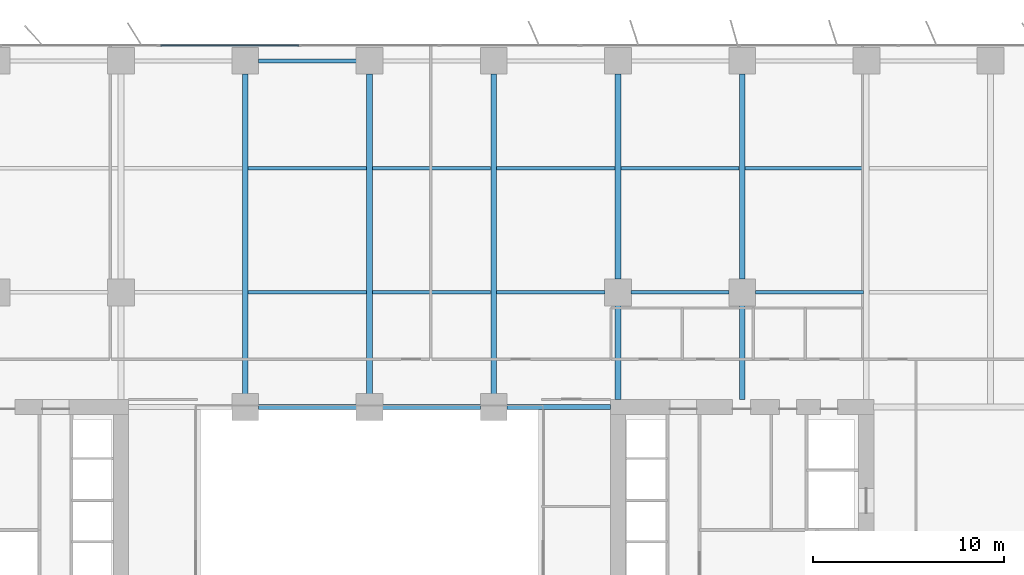
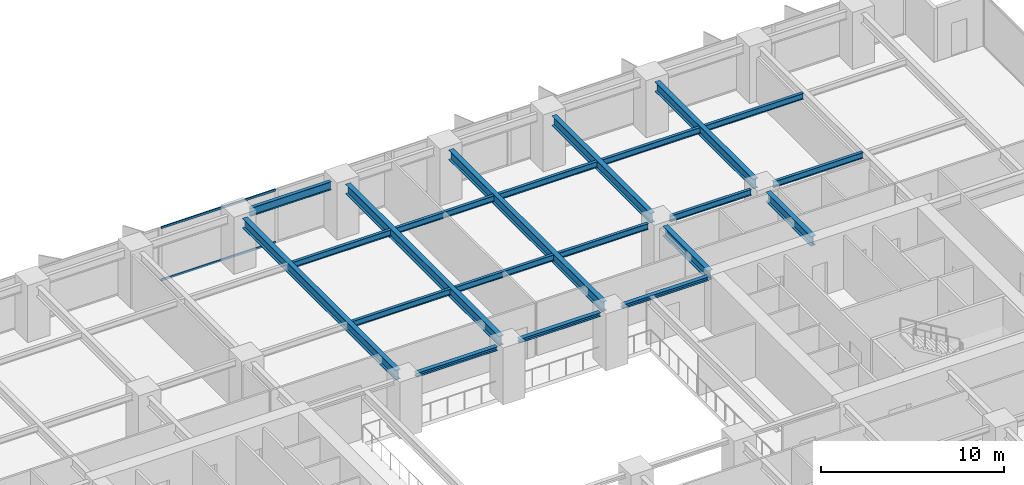
# One storey, part 8 of 20: 21 beams, 2 members, 1 element without a shape of its own.
"""IFC4 building model written with IfcOpenShell, lengths in metres."""

import ifcopenshell
import ifcopenshell.guid

model = None  # the IFC model being written
_history = None  # IfcOwnerHistory: only IFC2X3 demands one
_inside = {}  # id of a spatial element -> (the spatial element, [elements in it])
_under = {}  # id of a project, library or spatial element -> (it, [spatial elements below it])
_declared = {}  # id of a project -> (the project, [libraries it declares])
_typed = {}  # id of a type object -> (the type object, [elements of that type])
_made_of = {}  # id of a material, layer set ... -> (it, [elements and type objects made of it])


def new_model(schema):
    """Start an empty IFC model of exactly this schema.

    Asked for "IFC4X3", IfcOpenShell would pick the latest addendum, in which some entities
    have other attributes; the version numbers below select the first issue.
    IFC2X3 requires an IfcOwnerHistory on every rooted entity: one is made here for all.
    """
    global model, _history
    if schema == "IFC4X3":
        model = ifcopenshell.file(schema_version=(4, 3, 0, 0))
    else:
        model = ifcopenshell.file(schema=schema)
    _inside.clear()
    _under.clear()
    _declared.clear()
    _typed.clear()
    _made_of.clear()
    _history = None
    if model.schema == "IFC2X3":
        org = make("IfcOrganization", Name="unknown")
        user = make(
            "IfcPersonAndOrganization",
            ThePerson=make("IfcPerson", FamilyName="unknown"),
            TheOrganization=org,
        )
        app = make(
            "IfcApplication",
            ApplicationDeveloper=org,
            Version="unknown",
            ApplicationFullName="unknown",
            ApplicationIdentifier="unknown",
        )
        _history = make(
            "IfcOwnerHistory",
            OwningUser=user,
            OwningApplication=app,
            ChangeAction="ADDED",
            CreationDate=0,
        )
    return model


def make(cls, **values):
    """One entity of the class cls with the attributes given. An attribute that is None is left unset."""
    return model.create_entity(
        cls, **{name: value for name, value in values.items() if value is not None}
    )


def rooted(cls, **values):
    """An entity with a GlobalId (a new one), such as an element, a storey or a relation."""
    return make(cls, GlobalId=ifcopenshell.guid.new(), OwnerHistory=_history, **values)


def si_unit(unit_type, name, prefix=None):
    """IfcSIUnit, for example si_unit("LENGTHUNIT", "METRE", prefix="MILLI")."""
    return make("IfcSIUnit", UnitType=unit_type, Prefix=prefix, Name=name)


def assignment(units):
    """IfcUnitAssignment: the units of a project."""
    return None if units is None else make("IfcUnitAssignment", Units=units)


def point(xyz):
    """IfcCartesianPoint."""
    return None if xyz is None else make("IfcCartesianPoint", Coordinates=xyz)


def direction(xyz):
    """IfcDirection."""
    return None if xyz is None else make("IfcDirection", DirectionRatios=xyz)


def frame(location, z_axis=None, x_axis=None):
    """IfcAxis2Placement3D, a coordinate frame: its origin and axes. An axis left out is left unset."""
    return make(
        "IfcAxis2Placement3D",
        Location=point(location),
        Axis=direction(z_axis),
        RefDirection=direction(x_axis),
    )


def frame_2d(location, x_axis=None):
    """IfcAxis2Placement2D, a coordinate frame in the plane: its origin and x axis."""
    return make(
        "IfcAxis2Placement2D", Location=point(location), RefDirection=direction(x_axis)
    )


def origin():
    """The frame at (0, 0, 0) with its axes left unset."""
    return frame((0.0, 0.0, 0.0))


def origin_2d():
    """The frame at (0, 0) in the plane with its x axis left unset."""
    return frame_2d((0.0, 0.0))


def place(relative_to, where):
    """IfcLocalPlacement: puts the frame where relative to a parent placement (None: the world)."""
    return make(
        "IfcLocalPlacement", PlacementRelTo=relative_to, RelativePlacement=where
    )


def context(
    kind, dimensions, precision=None, world=None, true_north=None, identifier=None
):
    """IfcGeometricRepresentationContext, for example the 3D "Model" context."""
    return make(
        "IfcGeometricRepresentationContext",
        ContextIdentifier=identifier,
        ContextType=kind,
        CoordinateSpaceDimension=dimensions,
        Precision=precision,
        WorldCoordinateSystem=world,
        TrueNorth=true_north,
    )


def subcontext(parent, identifier, kind, view, scale=None):
    """IfcGeometricRepresentationSubContext, for example "Body" below "Model"."""
    return make(
        "IfcGeometricRepresentationSubContext",
        ContextIdentifier=identifier,
        ContextType=kind,
        ParentContext=parent,
        TargetScale=scale,
        TargetView=view,
    )


def project(units=None, contexts=None):
    """IfcProject with its units and contexts."""
    return rooted(
        "IfcProject",
        Name="project",
        RepresentationContexts=contexts,
        UnitsInContext=assignment(units),
    )


def spatial(cls, under=None, at=None, **own):
    """A site, building, storey or space (cls), placed at a placement, below another one or the project."""
    s = rooted(cls, ObjectPlacement=at, **own)
    if under is not None:
        _under.setdefault(under.id(), (under, []))[1].append(s)
    return s


def profile(cls, at=None, kind="AREA", **sizes):
    """A parametric profile (cls). Its sizes go by their IFC names, for example OverallWidth=200.0."""
    return make(cls, ProfileType=kind, Position=at, **sizes)


def rectangle(**sizes):
    """IfcRectangleProfileDef."""
    return profile("IfcRectangleProfileDef", **sizes)


def i_section(**sizes):
    """IfcIShapeProfileDef."""
    return profile("IfcIShapeProfileDef", **sizes)


def extrude(swept, where, along, depth):
    """IfcExtrudedAreaSolid: the profile swept, set in the frame where, extruded along a direction by depth."""
    return make(
        "IfcExtrudedAreaSolid",
        SweptArea=swept,
        Position=where,
        ExtrudedDirection=direction(along),
        Depth=depth,
    )


def shape(context_of_items, identifier, shape_type, items):
    """IfcShapeRepresentation: the items that make up one representation, for example the "Body"."""
    return make(
        "IfcShapeRepresentation",
        ContextOfItems=context_of_items,
        RepresentationIdentifier=identifier,
        RepresentationType=shape_type,
        Items=items,
    )


def material(Name=None, Category=None):
    """IfcMaterial."""
    return make("IfcMaterial", Name=Name, Category=Category)


def layer(
    of_material, thickness, ventilated=None, Name=None, Category=None, Priority=None
):
    """IfcMaterialLayer: one layer of a wall or slab, of a material (None: an air gap)."""
    return make(
        "IfcMaterialLayer",
        Material=of_material,
        LayerThickness=thickness,
        IsVentilated=ventilated,
        Name=Name,
        Category=Category,
        Priority=Priority,
    )


def layer_set(layers, Name=None):
    """IfcMaterialLayerSet."""
    return make("IfcMaterialLayerSet", MaterialLayers=layers, LayerSetName=Name)


def material_profile(
    of_material, cross_section, Name=None, Category=None, Priority=None
):
    """IfcMaterialProfile: a cross section and its material."""
    return make(
        "IfcMaterialProfile",
        Name=Name,
        Material=of_material,
        Profile=cross_section,
        Priority=Priority,
        Category=Category,
    )


def profile_set(profiles, Name=None, composite=None):
    """IfcMaterialProfileSet."""
    return make(
        "IfcMaterialProfileSet",
        Name=Name,
        MaterialProfiles=profiles,
        CompositeProfile=composite,
    )


def made_of(thing, what):
    """Note that an element or type object is made of a material, layer set ...; save() writes the relation."""
    if what is not None:
        _made_of.setdefault(what.id(), (what, []))[1].append(thing)
    return thing


def type_object(cls, material=None, **own):
    """A type object (cls), such as IfcWallType, which elements share."""
    return made_of(rooted(cls, **own), material)


def element(
    cls,
    number,
    at=None,
    inside=None,
    cuts=None,
    type_object=None,
    material=None,
    context=None,
    identifier="Body",
    shape_type=None,
    held_by="IfcProductDefinitionShape",
    body=None,
    shapes=None,
    **own,
):
    """One element of the class cls, such as IfcWall. Its Tag is "e" and its number.

    at: its placement. inside: the storey or other place that contains it. cuts: it is an
    opening in that element (IfcRelVoidsElement). A single representation is given by context,
    identifier, shape_type and body (its items); several are given by shapes. held_by: the class
    of the entity that holds the representations. save() writes the other relations.
    """
    e = rooted(cls, Tag="e%d" % number, ObjectPlacement=at, **own)
    if body is not None:
        shapes = [shape(context, identifier, shape_type, body)]
    if shapes is not None:
        e.Representation = make(held_by, Representations=shapes)
    if inside is not None:
        _inside.setdefault(inside.id(), (inside, []))[1].append(e)
    if cuts is not None:
        rooted(
            "IfcRelVoidsElement", RelatingBuildingElement=cuts, RelatedOpeningElement=e
        )
    if type_object is not None:
        _typed.setdefault(type_object.id(), (type_object, []))[1].append(e)
    return made_of(e, material)


def aggregate(whole, parts):
    """IfcRelAggregates: a whole, such as a stair, and the parts it consists of."""
    return rooted("IfcRelAggregates", RelatingObject=whole, RelatedObjects=parts)


def save(model, path):
    """Write the relations noted so far, then the file.

    IfcRelAggregates (storeys below a building ...), IfcRelContainedInSpatialStructure (elements
    in a storey), IfcRelDefinesByType, IfcRelAssociatesMaterial and IfcRelDeclares: one each for
    every whole, place, type object, material and project.
    """
    for whole, parts in _under.values():
        aggregate(whole, parts)
    for where, things in _inside.values():
        rooted(
            "IfcRelContainedInSpatialStructure",
            RelatedElements=things,
            RelatingStructure=where,
        )
    for kind, things in _typed.values():
        rooted("IfcRelDefinesByType", RelatedObjects=things, RelatingType=kind)
    for what, things in _made_of.values():
        rooted("IfcRelAssociatesMaterial", RelatedObjects=things, RelatingMaterial=what)
    for by, libraries in _declared.values():
        rooted("IfcRelDeclares", RelatingContext=by, RelatedDefinitions=libraries)
    model.write(path)


model = new_model("IFC4")

# Units and contexts
model_context = context("Model", 3, precision=1e-05, world=origin(), true_north=direction((0.0, 1.0)))
body_context = subcontext(model_context, "Body", "Model", "MODEL_VIEW")
ifc_project = project(units=[si_unit("LENGTHUNIT", "METRE"), si_unit("AREAUNIT", "SQUARE_METRE"), si_unit("VOLUMEUNIT", "CUBIC_METRE"), si_unit("PLANEANGLEUNIT", "RADIAN"), si_unit("MASSUNIT", "GRAM", prefix="KILO")], contexts=[model_context])

# Site, building, storey
site_placement = place(None, origin())
site = spatial("IfcSite", under=ifc_project, at=site_placement, CompositionType="ELEMENT")
building_placement = place(site_placement, origin())
building = spatial("IfcBuilding", under=site, at=building_placement, Name="Putna Gate Headquarters", CompositionType="ELEMENT")
storey_placement = place(building_placement, frame((0.0, 0.0, 58.199951171875)))
storey = spatial("IfcBuildingStorey", under=building, at=storey_placement, Name="L13", CompositionType="ELEMENT", Elevation=58.199951171875)

# Beams
ifc_material_1 = material(Name="Steel S355J2", Category="steel")
ifc_material_profile_1 = material_profile(ifc_material_1, i_section(OverallWidth=0.260009765625, OverallDepth=0.260009765625, WebThickness=0.010009765625, FlangeThickness=0.017578125, at=origin_2d()), Name="Steel S355J2")
ifc_profile_set_1 = profile_set([ifc_material_profile_1], Name="Steel S355J2")
beam_type_1 = type_object("IfcBeamType", Name="BM-ATRIUM-HEB260", PredefinedType="BEAM", material=ifc_profile_set_1)
for number, where, z_axis, x_axis, name in (
    (1, (33.18798828125, 33.0, 3.420166015625), (1.0, 0.0, 0.0), (0.0, 1.0, 0.0), "L13 Atrium Edge Beam AN2"),
    (2, (39.68798828125, 33.0, 3.420166015625), (1.0, 0.0, 0.0), (0.0, 1.0, 0.0), "L13 Atrium Edge Beam AN3"),
):
    element("IfcBeam", number, at=place(storey_placement, frame(where, z_axis=z_axis, x_axis=x_axis)), inside=storey, type_object=beam_type_1, Name=name, PredefinedType="BEAM", context=body_context, shape_type="SweptSolid", body=[
        extrude(i_section(OverallWidth=0.260009765625, OverallDepth=0.260009765625, WebThickness=0.010009765625, FlangeThickness=0.017578125, at=origin_2d()), origin(), (0.0, 0.0, 1.0), 5.1240234375),
    ])
beam_1_placement = place(storey_placement, frame((46.18798828125, 33.0, 3.420166015625), z_axis=(1.0, 0.0, 0.0), x_axis=(0.0, 1.0, 0.0)))
element("IfcBeam", 3, at=beam_1_placement, inside=storey, type_object=beam_type_1, Name="L13 Atrium Edge Beam AN4", PredefinedType="BEAM", context=body_context, shape_type="SweptSolid", body=[
    extrude(i_section(OverallWidth=0.260009765625, OverallDepth=0.260009765625, WebThickness=0.010009765625, FlangeThickness=0.017578125, at=origin_2d()), origin(), (0.0, 0.0, 1.0), 5.427001953125),
])
ifc_material_profile_2 = material_profile(ifc_material_1, i_section(OverallWidth=0.300048828125, OverallDepth=0.64990234375, WebThickness=0.01611328125, FlangeThickness=0.031005859375, at=origin_2d()), Name="Steel S355J2")
ifc_profile_set_2 = profile_set([ifc_material_profile_2], Name="Steel S355J2")
beam_type_2 = type_object("IfcBeamType", Name="BM-GIRD-Z1-HEB650", PredefinedType="USERDEFINED", material=ifc_profile_set_2)
for number, where, z_axis, x_axis, name in (
    (4, (32.5, 33.68798828125, 3.22509765625), (0.0, 1.0, 0.0), (-1.0, 0.0, 0.0), "L13 North Primary Girder X32"),
    (5, (39.0, 33.68798828125, 3.22509765625), (0.0, 1.0, 0.0), (-1.0, 0.0, 0.0), "L13 North Primary Girder X39"),
    (6, (45.5, 33.68798828125, 3.22509765625), (0.0, 1.0, 0.0), (-1.0, 0.0, 0.0), "L13 North Primary Girder X45"),
):
    element("IfcBeam", number, at=place(storey_placement, frame(where, z_axis=z_axis, x_axis=x_axis)), inside=storey, type_object=beam_type_2, Name=name, ObjectType="GIRDER", PredefinedType="USERDEFINED", context=body_context, shape_type="SweptSolid", body=[
        extrude(i_section(OverallWidth=0.300048828125, OverallDepth=0.64990234375, WebThickness=0.01611328125, FlangeThickness=0.031005859375, at=origin_2d()), origin(), (0.0, 0.0, 1.0), 16.743896484375),
    ])
beam_2_placement = place(storey_placement, frame((52.0, 33.385009765625, 3.22509765625), z_axis=(0.0, 1.0, 0.0), x_axis=(-1.0, 0.0, 0.0)))
element("IfcBeam", 7, at=beam_2_placement, inside=storey, type_object=beam_type_2, Name="L13 North Primary Girder X52-1", ObjectType="GIRDER", PredefinedType="USERDEFINED", context=body_context, shape_type="SweptSolid", body=[
    extrude(i_section(OverallWidth=0.300048828125, OverallDepth=0.64990234375, WebThickness=0.01611328125, FlangeThickness=0.031005859375, at=origin_2d()), origin(), (0.0, 0.0, 1.0), 4.927001953125),
])
beam_3_placement = place(storey_placement, frame((52.0, 39.68798828125, 3.22509765625), z_axis=(0.0, 1.0, 0.0), x_axis=(-1.0, 0.0, 0.0)))
element("IfcBeam", 8, at=beam_3_placement, inside=storey, type_object=beam_type_2, Name="L13 North Primary Girder X52-2", ObjectType="GIRDER", PredefinedType="USERDEFINED", context=body_context, shape_type="SweptSolid", body=[
    extrude(i_section(OverallWidth=0.300048828125, OverallDepth=0.64990234375, WebThickness=0.01611328125, FlangeThickness=0.031005859375, at=origin_2d()), origin(), (0.0, 0.0, 1.0), 10.743896484375),
])
beam_4_placement = place(storey_placement, frame((58.5, 33.385009765625, 3.22509765625), z_axis=(0.0, 1.0, 0.0), x_axis=(-1.0, 0.0, 0.0)))
element("IfcBeam", 9, at=beam_4_placement, inside=storey, type_object=beam_type_2, Name="L13 North Primary Girder X58-1", ObjectType="GIRDER", PredefinedType="USERDEFINED", context=body_context, shape_type="SweptSolid", body=[
    extrude(i_section(OverallWidth=0.300048828125, OverallDepth=0.64990234375, WebThickness=0.01611328125, FlangeThickness=0.031005859375, at=origin_2d()), origin(), (0.0, 0.0, 1.0), 4.927001953125),
])
beam_5_placement = place(storey_placement, frame((58.5, 39.68798828125, 3.22509765625), z_axis=(0.0, 1.0, 0.0), x_axis=(-1.0, 0.0, 0.0)))
element("IfcBeam", 10, at=beam_5_placement, inside=storey, type_object=beam_type_2, Name="L13 North Primary Girder X58-2", ObjectType="GIRDER", PredefinedType="USERDEFINED", context=body_context, shape_type="SweptSolid", body=[
    extrude(i_section(OverallWidth=0.300048828125, OverallDepth=0.64990234375, WebThickness=0.01611328125, FlangeThickness=0.031005859375, at=origin_2d()), origin(), (0.0, 0.0, 1.0), 10.743896484375),
])
ifc_material_profile_3 = material_profile(ifc_material_1, i_section(OverallWidth=0.179931640625, OverallDepth=0.39990234375, WebThickness=0.008544921875, FlangeThickness=0.013427734375, at=origin_2d()), Name="Steel S355J2")
ifc_profile_set_3 = profile_set([ifc_material_profile_3], Name="Steel S355J2")
beam_type_3 = type_object("IfcBeamType", Name="BM-SEC-Z1-IPE400", PredefinedType="BEAM", material=ifc_profile_set_3)
for number, where, z_axis, x_axis, name in (
    (11, (32.654052734375, 39.0, 3.35009765625), (1.0, 0.0, 0.0), (0.0, 1.0, 0.0), "L13 North Secondary Beam 5"),
    (12, (32.654052734375, 45.5, 3.35009765625), (1.0, 0.0, 0.0), (0.0, 1.0, 0.0), "L13 North Secondary Beam 5"),
    (13, (39.154052734375, 39.0, 3.35009765625), (1.0, 0.0, 0.0), (0.0, 1.0, 0.0), "L13 North Secondary Beam 6"),
    (14, (39.154052734375, 45.5, 3.35009765625), (1.0, 0.0, 0.0), (0.0, 1.0, 0.0), "L13 North Secondary Beam 6"),
):
    element("IfcBeam", number, at=place(storey_placement, frame(where, z_axis=z_axis, x_axis=x_axis)), inside=storey, type_object=beam_type_3, Name=name, PredefinedType="BEAM", context=body_context, shape_type="SweptSolid", body=[
        extrude(i_section(OverallWidth=0.179931640625, OverallDepth=0.39990234375, WebThickness=0.008544921875, FlangeThickness=0.013427734375, at=origin_2d()), origin(), (0.0, 0.0, 1.0), 6.19189453125),
    ])
beam_6_placement = place(storey_placement, frame((45.654052734375, 39.0, 3.35009765625), z_axis=(1.0, 0.0, 0.0), x_axis=(0.0, 1.0, 0.0)))
element("IfcBeam", 15, at=beam_6_placement, inside=storey, type_object=beam_type_3, Name="L13 North Secondary Beam 7", PredefinedType="BEAM", context=body_context, shape_type="SweptSolid", body=[
    extrude(i_section(OverallWidth=0.179931640625, OverallDepth=0.39990234375, WebThickness=0.008544921875, FlangeThickness=0.013427734375, at=origin_2d()), origin(), (0.0, 0.0, 1.0), 5.657958984375),
])
beam_7_placement = place(storey_placement, frame((45.654052734375, 45.5, 3.35009765625), z_axis=(1.0, 0.0, 0.0), x_axis=(0.0, 1.0, 0.0)))
element("IfcBeam", 16, at=beam_7_placement, inside=storey, type_object=beam_type_3, Name="L13 North Secondary Beam 7", PredefinedType="BEAM", context=body_context, shape_type="SweptSolid", body=[
    extrude(i_section(OverallWidth=0.179931640625, OverallDepth=0.39990234375, WebThickness=0.008544921875, FlangeThickness=0.013427734375, at=origin_2d()), origin(), (0.0, 0.0, 1.0), 6.19189453125),
])
beam_8_placement = place(storey_placement, frame((52.68798828125, 39.0, 3.35009765625), z_axis=(1.0, 0.0, 0.0), x_axis=(0.0, 1.0, 0.0)))
element("IfcBeam", 17, at=beam_8_placement, inside=storey, type_object=beam_type_3, Name="L13 North Secondary Beam 8", PredefinedType="BEAM", context=body_context, shape_type="SweptSolid", body=[
    extrude(i_section(OverallWidth=0.179931640625, OverallDepth=0.39990234375, WebThickness=0.008544921875, FlangeThickness=0.013427734375, at=origin_2d()), origin(), (0.0, 0.0, 1.0), 5.1240234375),
])
beam_9_placement = place(storey_placement, frame((52.154052734375, 45.5, 3.35009765625), z_axis=(1.0, 0.0, 0.0), x_axis=(0.0, 1.0, 0.0)))
element("IfcBeam", 18, at=beam_9_placement, inside=storey, type_object=beam_type_3, Name="L13 North Secondary Beam 8", PredefinedType="BEAM", context=body_context, shape_type="SweptSolid", body=[
    extrude(i_section(OverallWidth=0.179931640625, OverallDepth=0.39990234375, WebThickness=0.008544921875, FlangeThickness=0.013427734375, at=origin_2d()), origin(), (0.0, 0.0, 1.0), 6.19189453125),
])
beam_10_placement = place(storey_placement, frame((59.18798828125, 39.0, 3.35009765625), z_axis=(1.0, 0.0, 0.0), x_axis=(0.0, 1.0, 0.0)))
element("IfcBeam", 19, at=beam_10_placement, inside=storey, type_object=beam_type_3, Name="L13 North Secondary Beam 9", PredefinedType="BEAM", context=body_context, shape_type="SweptSolid", body=[
    extrude(i_section(OverallWidth=0.179931640625, OverallDepth=0.39990234375, WebThickness=0.008544921875, FlangeThickness=0.013427734375, at=origin_2d()), origin(), (0.0, 0.0, 1.0), 5.657958984375),
])
beam_11_placement = place(storey_placement, frame((58.654052734375, 45.5, 3.35009765625), z_axis=(1.0, 0.0, 0.0), x_axis=(0.0, 1.0, 0.0)))
element("IfcBeam", 20, at=beam_11_placement, inside=storey, type_object=beam_type_3, Name="L13 North Secondary Beam 9", PredefinedType="BEAM", context=body_context, shape_type="SweptSolid", body=[
    extrude(i_section(OverallWidth=0.179931640625, OverallDepth=0.39990234375, WebThickness=0.008544921875, FlangeThickness=0.013427734375, at=origin_2d()), origin(), (0.0, 0.0, 1.0), 6.19189453125),
])
ifc_material_profile_4 = material_profile(ifc_material_1, i_section(OverallWidth=0.2099609375, OverallDepth=0.550048828125, WebThickness=0.010986328125, FlangeThickness=0.01708984375, at=origin_2d()), Name="Steel S355J2")
ifc_profile_set_4 = profile_set([ifc_material_profile_4], Name="Steel S355J2")
beam_type_4 = type_object("IfcBeamType", Name="BM-SPAN-Z1-IPE550", PredefinedType="SPANDREL", material=ifc_profile_set_4)
beam_12_placement = place(storey_placement, frame((33.18798828125, 51.1201171875, 3.275146484375), z_axis=(1.0, 0.0, 0.0), x_axis=(0.0, 1.0, 0.0)))
element("IfcBeam", 21, at=beam_12_placement, inside=storey, type_object=beam_type_4, Name="L13 N Perimeter Spandrel 5", PredefinedType="SPANDREL", context=body_context, shape_type="SweptSolid", body=[
    extrude(i_section(OverallWidth=0.2099609375, OverallDepth=0.550048828125, WebThickness=0.010986328125, FlangeThickness=0.01708984375, at=origin_2d()), origin(), (0.0, 0.0, 1.0), 5.1240234375),
])

# Curtain wall, members
ifc_material_2 = material(Name="Anodised bronze aluminium curtain wall", Category="aluminium")
ifc_layer = layer(ifc_material_2, 0.179931640625)
ifc_layer_set = layer_set([ifc_layer], Name="Anodised bronze aluminium curtain wall")
curtain_wall_type = type_object("IfcCurtainWallType", Name="CW-SYS-ATR", PredefinedType="USERDEFINED", material=ifc_layer_set)
curtain_wall_placement = place(storey_placement, origin())
curtain_wall = element("IfcCurtainWall", 22, at=curtain_wall_placement, inside=storey, type_object=curtain_wall_type, Name="L13 North Atrium Clear Glazing", ObjectType="ATRIUM GLAZING", PredefinedType="USERDEFINED")
ifc_material_3 = material(Name="Anodised bronze aluminium EN AW-6060", Category="aluminium")
ifc_material_profile_5 = material_profile(ifc_material_3, rectangle(XDim=0.070068359375, YDim=0.139892578125, at=origin_2d()), Name="Anodised bronze aluminium EN AW-6060")
ifc_profile_set_5 = profile_set([ifc_material_profile_5], Name="Anodised bronze aluminium EN AW-6060")
member_type = type_object("IfcMemberType", Name="TRAN-CWT-AT", PredefinedType="USERDEFINED", material=ifc_profile_set_5)
member_1_placement = place(storey_placement, frame((28.070068359375, 51.919921875, 0.03515625), z_axis=(1.0, 0.0, 0.0), x_axis=(0.0, 1.0, 0.0)))
member_1 = element("IfcMember", 23, at=member_1_placement, type_object=member_type, Name="CWS-AT transom 1.1", ObjectType="TRANSOM", PredefinedType="USERDEFINED", context=body_context, shape_type="SweptSolid", body=[
    extrude(rectangle(XDim=0.070068359375, YDim=0.139892578125, at=origin_2d()), origin(), (0.0, 0.0, 1.0), 7.228271484375),
])
member_2_placement = place(storey_placement, frame((28.070068359375, 51.919921875, 3.51513671875), z_axis=(1.0, 0.0, 0.0), x_axis=(0.0, 1.0, 0.0)))
member_2 = element("IfcMember", 24, at=member_2_placement, type_object=member_type, Name="CWS-AT transom 1.2", ObjectType="TRANSOM", PredefinedType="USERDEFINED", context=body_context, shape_type="SweptSolid", body=[
    extrude(rectangle(XDim=0.070068359375, YDim=0.139892578125, at=origin_2d()), origin(), (0.0, 0.0, 1.0), 7.228271484375),
])
aggregate(curtain_wall, [member_1, member_2])

save(model, "model.ifc")
